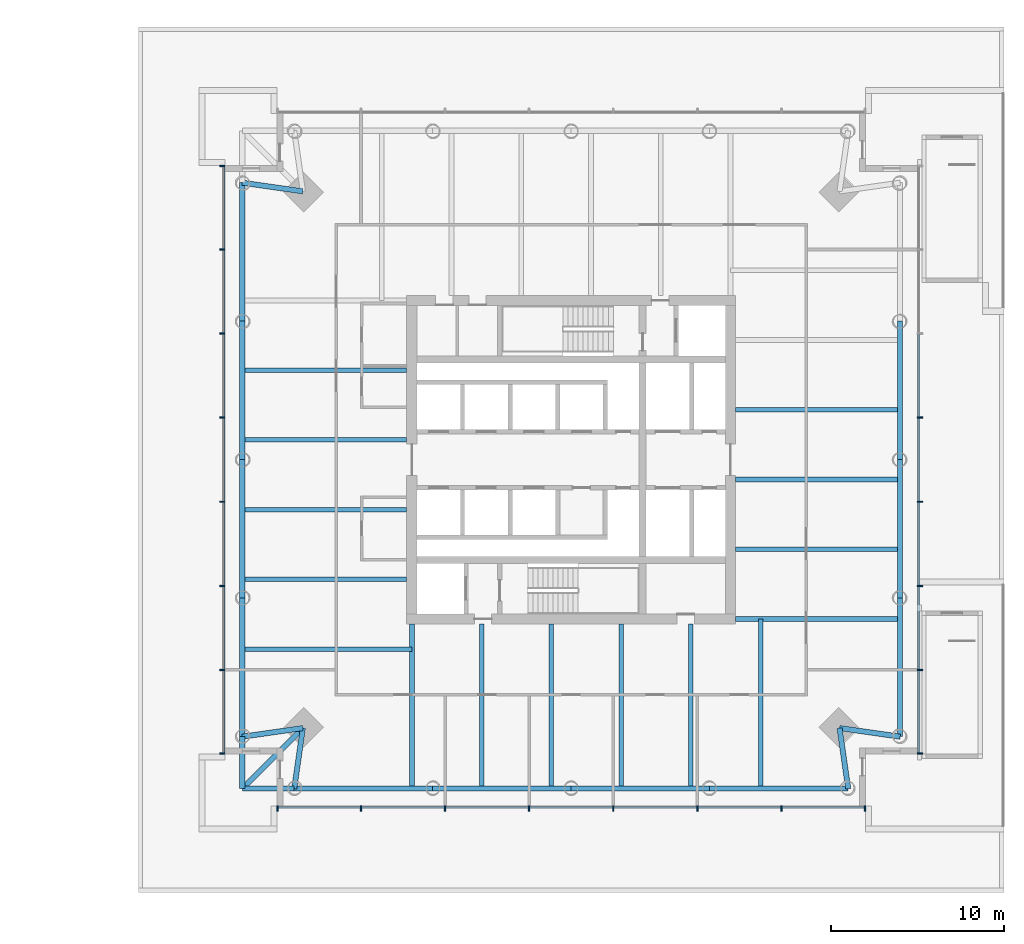
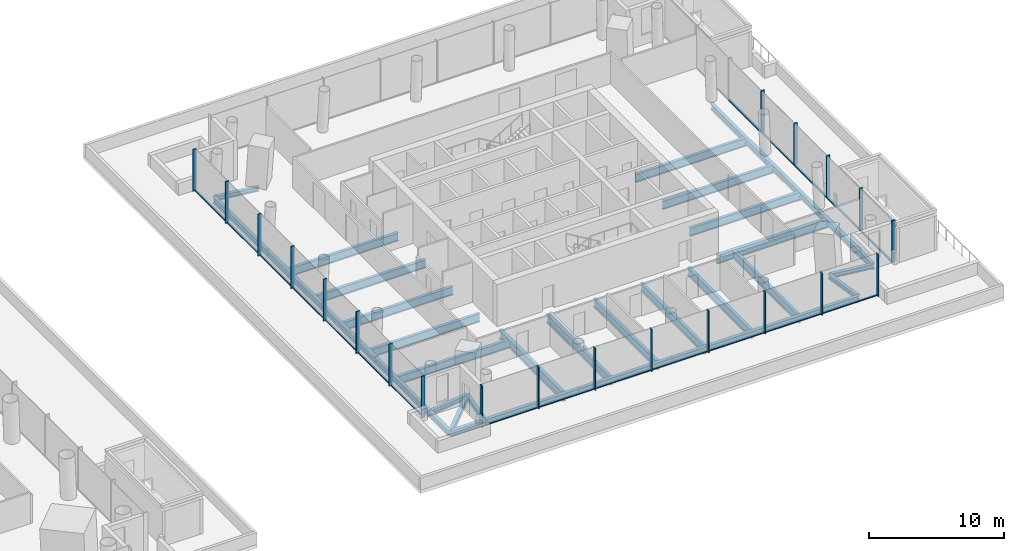
# One storey, part 5 of 19: 40 members, 34 beams, 3 elements without a shape of their own.
"""IFC4 building model written with IfcOpenShell, lengths in metres."""

from ifc_helpers import new_model, si_unit, direction, frame, origin, origin_2d, place, context, subcontext, project, spatial, rectangle, i_section, extrude, material, material_profile, profile_set, type_object, element, aggregate, save


model = new_model("IFC4")

# Units and contexts
model_context = context("Model", 3, precision=1e-05, world=origin(), true_north=direction((0.0, 1.0)))
body_context = subcontext(model_context, "Body", "Model", "MODEL_VIEW")
ifc_project = project(units=[si_unit("LENGTHUNIT", "METRE"), si_unit("AREAUNIT", "SQUARE_METRE"), si_unit("VOLUMEUNIT", "CUBIC_METRE"), si_unit("PLANEANGLEUNIT", "RADIAN"), si_unit("MASSUNIT", "GRAM", prefix="KILO")], contexts=[model_context])

# Site, building, storey
site_placement = place(None, origin())
site = spatial("IfcSite", under=ifc_project, at=site_placement, CompositionType="ELEMENT")
building_placement = place(site_placement, origin())
building = spatial("IfcBuilding", under=site, at=building_placement, Name="Ostroluk Exchange", CompositionType="ELEMENT")
storey_placement = place(building_placement, frame((0.0, 0.0, 21.0)))
storey = spatial("IfcBuildingStorey", under=building, at=storey_placement, Name="L04", CompositionType="ELEMENT", Elevation=21.0)

# Beams
ifc_material_1 = material(Name="Steel S355", Category="steel")
ifc_material_profile_1 = material_profile(ifc_material_1, i_section(OverallWidth=0.300048828125, OverallDepth=0.5, WebThickness=0.014404296875, FlangeThickness=0.028076171875, FilletRadius=0.027099609375, at=origin_2d()), Name="HEB 500")
ifc_profile_set_1 = profile_set([ifc_material_profile_1], Name="Steel S355")
beam_type_1 = type_object("IfcBeamType", Name="Balcony beam HEB 500", PredefinedType="BEAM", material=ifc_profile_set_1)
for number, where, z_axis, x_axis, name in (
    (1, (98.0, 30.0, -0.550048828125), (0.0, -1.0, 0.0), (1.0, 0.0, 0.0), "T2 west balcony beam a"),
    (2, (101.0, 27.0, -0.550048828125), (-1.0, 0.0, 0.0), (0.0, -1.0, 0.0), "T2 west balcony beam b"),
):
    element("IfcBeam", number, at=place(storey_placement, frame(where, z_axis=z_axis, x_axis=x_axis)), inside=storey, type_object=beam_type_1, Name=name, PredefinedType="BEAM", context=body_context, shape_type="SweptSolid", body=[
        extrude(i_section(OverallWidth=0.300048828125, OverallDepth=0.5, WebThickness=0.014404296875, FlangeThickness=0.028076171875, FilletRadius=0.027099609375, at=origin_2d()), origin(), (0.0, 0.0, 1.0), 3.0),
    ])
beam_1_placement = place(storey_placement, frame((101.5, 30.5, -0.550048828125), z_axis=(-0.707106781187, -0.707106781187, 0.0), x_axis=(0.707106781187, -0.707106781187, 0.0)))
element("IfcBeam", 3, at=beam_1_placement, inside=storey, type_object=beam_type_1, Name="T2 west balcony beam c", PredefinedType="BEAM", context=body_context, shape_type="SweptSolid", body=[
    extrude(i_section(OverallWidth=0.300048828125, OverallDepth=0.5, WebThickness=0.014404296875, FlangeThickness=0.028076171875, FilletRadius=0.027099609375, at=origin_2d()), origin(), (0.0, 0.0, 1.0), 4.94970703125),
])
ifc_material_2 = material(Name="Steel S355", Category="steel")
ifc_material_profile_2 = material_profile(ifc_material_2, i_section(OverallWidth=0.300048828125, OverallDepth=0.39990234375, WebThickness=0.013427734375, FlangeThickness=0.02392578125, FilletRadius=0.027099609375, at=origin_2d()), Name="HEB 400")
ifc_profile_set_2 = profile_set([ifc_material_profile_2], Name="Steel S355")
beam_type_2 = type_object("IfcBeamType", Name="Corner edge beam HEB 400", PredefinedType="SPANDREL", material=ifc_profile_set_2)
for number, where, z_axis, x_axis, name in (
    (4, (101.5, 61.5, -0.5), (-0.989949493661, 0.141421356237, 0.0), (-0.141421356237, -0.989949493661, 0.0), "T2 north corner edge beam b"),
    (5, (101.5, 30.5, -0.5), (-0.989949493661, -0.141421356237, 0.0), (0.141421356237, -0.989949493661, 0.0), "T2 west corner edge beam a"),
    (6, (101.5, 30.5, -0.5), (-0.141421356237, -0.989949493661, 0.0), (0.989949493661, -0.141421356237, 0.0), "T2 west corner edge beam b"),
    (7, (132.5, 30.5, -0.5), (0.141421356237, -0.989949493661, 0.0), (0.989949493661, 0.141421356237, 0.0), "T2 south corner edge beam a"),
    (8, (132.5, 30.5, -0.5), (0.989949493661, -0.141421356237, 0.0), (0.141421356237, 0.989949493661, 0.0), "T2 south corner edge beam b"),
):
    element("IfcBeam", number, at=place(storey_placement, frame(where, z_axis=z_axis, x_axis=x_axis)), inside=storey, type_object=beam_type_2, Name=name, PredefinedType="SPANDREL", context=body_context, shape_type="SweptSolid", body=[
        extrude(i_section(OverallWidth=0.300048828125, OverallDepth=0.39990234375, WebThickness=0.013427734375, FlangeThickness=0.02392578125, FilletRadius=0.027099609375, at=origin_2d()), origin(), (0.0, 0.0, 1.0), 3.53564453125),
    ])
ifc_material_3 = material(Name="Steel S355", Category="steel")
ifc_material_profile_3 = material_profile(ifc_material_3, i_section(OverallWidth=0.264892578125, OverallDepth=0.7529296875, WebThickness=0.01318359375, FlangeThickness=0.01708984375, FilletRadius=0.01708984375, at=origin_2d()), Name="IPE 750x147")
ifc_profile_set_3 = profile_set([ifc_material_profile_3], Name="Steel S355")
beam_type_3 = type_object("IfcBeamType", Name="Floor beam IPE 750x147", PredefinedType="BEAM", material=ifc_profile_set_3)
for number, where, z_axis, x_axis, name in (
    (9, (126.5, 40.82861328125, -0.676513671875), (1.0, 0.0, 0.0), (0.0, 1.0, 0.0), "T2 east floor beam 1"),
    (10, (126.5, 44.857177734375, -0.676513671875), (1.0, 0.0, 0.0), (0.0, 1.0, 0.0), "T2 east floor beam 2"),
    (11, (126.5, 48.8857421875, -0.676513671875), (1.0, 0.0, 0.0), (0.0, 1.0, 0.0), "T2 east floor beam 3"),
    (12, (107.5, 51.17138671875, -0.676513671875), (-1.0, 0.0, 0.0), (0.0, -1.0, 0.0), "T2 west floor beam 1"),
    (13, (107.5, 47.142822265625, -0.676513671875), (-1.0, 0.0, 0.0), (0.0, -1.0, 0.0), "T2 west floor beam 2"),
    (14, (107.5, 43.1142578125, -0.676513671875), (-1.0, 0.0, 0.0), (0.0, -1.0, 0.0), "T2 west floor beam 3"),
    (15, (107.5, 39.085693359375, -0.676513671875), (-1.0, 0.0, 0.0), (0.0, -1.0, 0.0), "T2 west floor beam 4"),
):
    element("IfcBeam", number, at=place(storey_placement, frame(where, z_axis=z_axis, x_axis=x_axis)), inside=storey, type_object=beam_type_3, Name=name, PredefinedType="BEAM", context=body_context, shape_type="SweptSolid", body=[
        extrude(i_section(OverallWidth=0.264892578125, OverallDepth=0.7529296875, WebThickness=0.01318359375, FlangeThickness=0.01708984375, FilletRadius=0.01708984375, at=origin_2d()), origin(), (0.0, 0.0, 1.0), 9.5),
    ])
beam_2_placement = place(storey_placement, frame((107.800048828125, 35.05712890625, -0.676513671875), z_axis=(-1.0, 0.0, 0.0), x_axis=(0.0, -1.0, 0.0)))
element("IfcBeam", 16, at=beam_2_placement, inside=storey, type_object=beam_type_3, Name="T2 west floor beam 5", PredefinedType="BEAM", context=body_context, shape_type="SweptSolid", body=[
    extrude(i_section(OverallWidth=0.264892578125, OverallDepth=0.7529296875, WebThickness=0.01318359375, FlangeThickness=0.01708984375, FilletRadius=0.01708984375, at=origin_2d()), origin(), (0.0, 0.0, 1.0), 9.800048828125),
])
for number, where, z_axis, x_axis, name in (
    (17, (111.82861328125, 36.5, -0.676513671875), (0.0, -1.0, 0.0), (1.0, 0.0, 0.0), "T2 south floor beam 1"),
    (18, (115.857177734375, 36.5, -0.676513671875), (0.0, -1.0, 0.0), (1.0, 0.0, 0.0), "T2 south floor beam 2"),
    (19, (119.8857421875, 36.5, -0.676513671875), (0.0, -1.0, 0.0), (1.0, 0.0, 0.0), "T2 south floor beam 3"),
    (20, (123.914306640625, 36.5, -0.676513671875), (0.0, -1.0, 0.0), (1.0, 0.0, 0.0), "T2 south floor beam 4"),
):
    element("IfcBeam", number, at=place(storey_placement, frame(where, z_axis=z_axis, x_axis=x_axis)), inside=storey, type_object=beam_type_3, Name=name, PredefinedType="BEAM", context=body_context, shape_type="SweptSolid", body=[
        extrude(i_section(OverallWidth=0.264892578125, OverallDepth=0.7529296875, WebThickness=0.01318359375, FlangeThickness=0.01708984375, FilletRadius=0.01708984375, at=origin_2d()), origin(), (0.0, 0.0, 1.0), 9.5),
    ])
beam_3_placement = place(storey_placement, frame((127.94287109375, 36.800048828125, -0.676513671875), z_axis=(0.0, -1.0, 0.0), x_axis=(1.0, 0.0, 0.0)))
element("IfcBeam", 21, at=beam_3_placement, inside=storey, type_object=beam_type_3, Name="T2 south floor beam 5", PredefinedType="BEAM", context=body_context, shape_type="SweptSolid", body=[
    extrude(i_section(OverallWidth=0.264892578125, OverallDepth=0.7529296875, WebThickness=0.01318359375, FlangeThickness=0.01708984375, FilletRadius=0.01708984375, at=origin_2d()), origin(), (0.0, 0.0, 1.0), 9.800048828125),
])
ifc_material_4 = material(Name="Steel S355", Category="steel")
ifc_material_profile_4 = material_profile(ifc_material_4, i_section(OverallWidth=0.300048828125, OverallDepth=0.800048828125, WebThickness=0.017578125, FlangeThickness=0.032958984375, FilletRadius=0.030029296875, at=origin_2d()), Name="HEB 800")
ifc_profile_set_4 = profile_set([ifc_material_profile_4], Name="Steel S355")
beam_type_4 = type_object("IfcBeamType", Name="Girder HEB 800", PredefinedType="BEAM", material=ifc_profile_set_4)
for number, where, z_axis, x_axis, name in (
    (22, (107.800048828125, 36.5, -0.699951171875), (0.0, -1.0, 0.0), (1.0, 0.0, 0.0), "T2 west girder"),
    (23, (126.5, 36.800048828125, -0.699951171875), (1.0, 0.0, 0.0), (0.0, 1.0, 0.0), "T2 south girder"),
):
    element("IfcBeam", number, at=place(storey_placement, frame(where, z_axis=z_axis, x_axis=x_axis)), inside=storey, type_object=beam_type_4, Name=name, PredefinedType="BEAM", context=body_context, shape_type="SweptSolid", body=[
        extrude(i_section(OverallWidth=0.300048828125, OverallDepth=0.800048828125, WebThickness=0.017578125, FlangeThickness=0.032958984375, FilletRadius=0.030029296875, at=origin_2d()), origin(), (0.0, 0.0, 1.0), 9.5),
    ])
ifc_material_5 = material(Name="Steel S355", Category="steel")
ifc_material_profile_5 = material_profile(ifc_material_5, i_section(OverallWidth=0.300048828125, OverallDepth=0.550048828125, WebThickness=0.014892578125, FlangeThickness=0.029052734375, FilletRadius=0.027099609375, at=origin_2d()), Name="HEB 550")
ifc_profile_set_5 = profile_set([ifc_material_profile_5], Name="Steel S355")
beam_type_5 = type_object("IfcBeamType", Name="Moment-connected edge beam HEB 550", PredefinedType="SPANDREL", material=ifc_profile_set_5)
for number, where, z_axis, x_axis, name in (
    (24, (136.0, 30.0, -0.574951171875), (0.0, 1.0, 0.0), (-1.0, 0.0, 0.0), "T2 east edge beam 1"),
    (25, (136.0, 38.0, -0.574951171875), (0.0, 1.0, 0.0), (-1.0, 0.0, 0.0), "T2 east edge beam 2"),
    (26, (136.0, 46.0, -0.574951171875), (0.0, 1.0, 0.0), (-1.0, 0.0, 0.0), "T2 east edge beam 3"),
    (27, (98.0, 62.0, -0.574951171875), (0.0, -1.0, 0.0), (1.0, 0.0, 0.0), "T2 west edge beam 1"),
    (28, (98.0, 54.0, -0.574951171875), (0.0, -1.0, 0.0), (1.0, 0.0, 0.0), "T2 west edge beam 2"),
    (29, (98.0, 46.0, -0.574951171875), (0.0, -1.0, 0.0), (1.0, 0.0, 0.0), "T2 west edge beam 3"),
    (30, (98.0, 38.0, -0.574951171875), (0.0, -1.0, 0.0), (1.0, 0.0, 0.0), "T2 west edge beam 4"),
    (31, (101.0, 27.0, -0.574951171875), (1.0, 0.0, 0.0), (0.0, 1.0, 0.0), "T2 south edge beam 1"),
    (32, (109.0, 27.0, -0.574951171875), (1.0, 0.0, 0.0), (0.0, 1.0, 0.0), "T2 south edge beam 2"),
    (33, (117.0, 27.0, -0.574951171875), (1.0, 0.0, 0.0), (0.0, 1.0, 0.0), "T2 south edge beam 3"),
    (34, (125.0, 27.0, -0.574951171875), (1.0, 0.0, 0.0), (0.0, 1.0, 0.0), "T2 south edge beam 4"),
):
    element("IfcBeam", number, at=place(storey_placement, frame(where, z_axis=z_axis, x_axis=x_axis)), inside=storey, type_object=beam_type_5, Name=name, PredefinedType="SPANDREL", context=body_context, shape_type="SweptSolid", body=[
        extrude(i_section(OverallWidth=0.300048828125, OverallDepth=0.550048828125, WebThickness=0.014892578125, FlangeThickness=0.029052734375, FilletRadius=0.027099609375, at=origin_2d()), origin(), (0.0, 0.0, 1.0), 8.0),
    ])

# Curtain wall, members
ifc_material_6 = material(Name="Laminated clear glass", Category="glass")
curtain_wall_type = type_object("IfcCurtainWallType", Name="Hotel amenity and plant facade", PredefinedType="USERDEFINED", material=ifc_material_6)
curtain_wall_1_placement = place(storey_placement, origin())
curtain_wall_1 = element("IfcCurtainWall", 35, at=curtain_wall_1_placement, inside=storey, type_object=curtain_wall_type, Name="Hotel tower south facade L04", ObjectType="LOUVRED CURTAIN WALL", PredefinedType="USERDEFINED")
ifc_material_7 = material(Name="Aluminium mullion", Category="aluminium")
ifc_material_profile_6 = material_profile(ifc_material_7, rectangle(XDim=0.14990234375, YDim=0.080078125, at=origin_2d()), Name="Sill transom 80 x 150")
ifc_profile_set_6 = profile_set([ifc_material_profile_6], Name="Aluminium mullion")
member_type_1 = type_object("IfcMemberType", Name="Sill transom 80 x 150", PredefinedType="USERDEFINED", material=ifc_profile_set_6)
member_1_placement = place(storey_placement, frame((100.080078125, 25.925048828125, 0.0400390625), z_axis=(1.0, 0.0, 0.0), x_axis=(0.0, 1.0, 0.0)))
member_1 = element("IfcMember", 36, at=member_1_placement, type_object=member_type_1, Name="CW-H2 transom 1.1", ObjectType="TRANSOM", PredefinedType="USERDEFINED", context=body_context, shape_type="SweptSolid", body=[
    extrude(rectangle(XDim=0.14990234375, YDim=0.080078125, at=origin_2d()), origin(), (0.0, 0.0, 1.0), 4.737060546875),
])
member_2_placement = place(storey_placement, frame((104.897216796875, 25.925048828125, 0.0400390625), z_axis=(1.0, 0.0, 0.0), x_axis=(0.0, 1.0, 0.0)))
member_2 = element("IfcMember", 37, at=member_2_placement, type_object=member_type_1, Name="CW-H2 transom 2.1", ObjectType="TRANSOM", PredefinedType="USERDEFINED", context=body_context, shape_type="SweptSolid", body=[
    extrude(rectangle(XDim=0.14990234375, YDim=0.080078125, at=origin_2d()), origin(), (0.0, 0.0, 1.0), 4.777099609375),
])
member_3_placement = place(storey_placement, frame((109.75439453125, 25.925048828125, 0.0400390625), z_axis=(1.0, 0.0, 0.0), x_axis=(0.0, 1.0, 0.0)))
member_3 = element("IfcMember", 38, at=member_3_placement, type_object=member_type_1, Name="CW-H2 transom 3.1", ObjectType="TRANSOM", PredefinedType="USERDEFINED", context=body_context, shape_type="SweptSolid", body=[
    extrude(rectangle(XDim=0.14990234375, YDim=0.080078125, at=origin_2d()), origin(), (0.0, 0.0, 1.0), 4.777099609375),
])
member_4_placement = place(storey_placement, frame((114.611328125, 25.925048828125, 0.0400390625), z_axis=(1.0, 0.0, 0.0), x_axis=(0.0, 1.0, 0.0)))
member_4 = element("IfcMember", 39, at=member_4_placement, type_object=member_type_1, Name="CW-H2 transom 4.1", ObjectType="TRANSOM", PredefinedType="USERDEFINED", context=body_context, shape_type="SweptSolid", body=[
    extrude(rectangle(XDim=0.14990234375, YDim=0.080078125, at=origin_2d()), origin(), (0.0, 0.0, 1.0), 4.77734375),
])
member_5_placement = place(storey_placement, frame((119.468505859375, 25.925048828125, 0.0400390625), z_axis=(1.0, 0.0, 0.0), x_axis=(0.0, 1.0, 0.0)))
member_5 = element("IfcMember", 40, at=member_5_placement, type_object=member_type_1, Name="CW-H2 transom 5.1", ObjectType="TRANSOM", PredefinedType="USERDEFINED", context=body_context, shape_type="SweptSolid", body=[
    extrude(rectangle(XDim=0.14990234375, YDim=0.080078125, at=origin_2d()), origin(), (0.0, 0.0, 1.0), 4.777099609375),
])
member_6_placement = place(storey_placement, frame((124.32568359375, 25.925048828125, 0.0400390625), z_axis=(1.0, 0.0, 0.0), x_axis=(0.0, 1.0, 0.0)))
member_6 = element("IfcMember", 41, at=member_6_placement, type_object=member_type_1, Name="CW-H2 transom 6.1", ObjectType="TRANSOM", PredefinedType="USERDEFINED", context=body_context, shape_type="SweptSolid", body=[
    extrude(rectangle(XDim=0.14990234375, YDim=0.080078125, at=origin_2d()), origin(), (0.0, 0.0, 1.0), 4.777099609375),
])
member_7_placement = place(storey_placement, frame((129.182861328125, 25.925048828125, 0.0400390625), z_axis=(1.0, 0.0, 0.0), x_axis=(0.0, 1.0, 0.0)))
member_7 = element("IfcMember", 42, at=member_7_placement, type_object=member_type_1, Name="CW-H2 transom 7.1", ObjectType="TRANSOM", PredefinedType="USERDEFINED", context=body_context, shape_type="SweptSolid", body=[
    extrude(rectangle(XDim=0.14990234375, YDim=0.080078125, at=origin_2d()), origin(), (0.0, 0.0, 1.0), 4.737060546875),
])

curtain_wall_2_placement = place(storey_placement, origin())
curtain_wall_2 = element("IfcCurtainWall", 43, at=curtain_wall_2_placement, inside=storey, type_object=curtain_wall_type, Name="Hotel tower east facade L04", ObjectType="LOUVRED CURTAIN WALL", PredefinedType="USERDEFINED")
member_8_placement = place(storey_placement, frame((137.074951171875, 29.080078125, 0.0400390625), z_axis=(0.0, 1.0, 0.0), x_axis=(-1.0, 0.0, 0.0)))
member_8 = element("IfcMember", 44, at=member_8_placement, type_object=member_type_1, Name="CW-H2 transom 1.1", ObjectType="TRANSOM", PredefinedType="USERDEFINED", context=body_context, shape_type="SweptSolid", body=[
    extrude(rectangle(XDim=0.14990234375, YDim=0.080078125, at=origin_2d()), origin(), (0.0, 0.0, 1.0), 4.737060546875),
])
member_9_placement = place(storey_placement, frame((137.074951171875, 33.897216796875, 0.0400390625), z_axis=(0.0, 1.0, 0.0), x_axis=(-1.0, 0.0, 0.0)))
member_9 = element("IfcMember", 45, at=member_9_placement, type_object=member_type_1, Name="CW-H2 transom 2.1", ObjectType="TRANSOM", PredefinedType="USERDEFINED", context=body_context, shape_type="SweptSolid", body=[
    extrude(rectangle(XDim=0.14990234375, YDim=0.080078125, at=origin_2d()), origin(), (0.0, 0.0, 1.0), 4.777099609375),
])
member_10_placement = place(storey_placement, frame((137.074951171875, 38.75439453125, 0.0400390625), z_axis=(0.0, 1.0, 0.0), x_axis=(-1.0, 0.0, 0.0)))
member_10 = element("IfcMember", 46, at=member_10_placement, type_object=member_type_1, Name="CW-H2 transom 3.1", ObjectType="TRANSOM", PredefinedType="USERDEFINED", context=body_context, shape_type="SweptSolid", body=[
    extrude(rectangle(XDim=0.14990234375, YDim=0.080078125, at=origin_2d()), origin(), (0.0, 0.0, 1.0), 4.777099609375),
])
member_11_placement = place(storey_placement, frame((137.074951171875, 43.611328125, 0.0400390625), z_axis=(0.0, 1.0, 0.0), x_axis=(-1.0, 0.0, 0.0)))
member_11 = element("IfcMember", 47, at=member_11_placement, type_object=member_type_1, Name="CW-H2 transom 4.1", ObjectType="TRANSOM", PredefinedType="USERDEFINED", context=body_context, shape_type="SweptSolid", body=[
    extrude(rectangle(XDim=0.14990234375, YDim=0.080078125, at=origin_2d()), origin(), (0.0, 0.0, 1.0), 4.77734375),
])
member_12_placement = place(storey_placement, frame((137.074951171875, 48.468505859375, 0.0400390625), z_axis=(0.0, 1.0, 0.0), x_axis=(-1.0, 0.0, 0.0)))
member_12 = element("IfcMember", 48, at=member_12_placement, type_object=member_type_1, Name="CW-H2 transom 5.1", ObjectType="TRANSOM", PredefinedType="USERDEFINED", context=body_context, shape_type="SweptSolid", body=[
    extrude(rectangle(XDim=0.14990234375, YDim=0.080078125, at=origin_2d()), origin(), (0.0, 0.0, 1.0), 4.777099609375),
])

curtain_wall_3_placement = place(storey_placement, origin())
curtain_wall_3 = element("IfcCurtainWall", 49, at=curtain_wall_3_placement, inside=storey, type_object=curtain_wall_type, Name="Hotel tower west facade L04", ObjectType="LOUVRED CURTAIN WALL", PredefinedType="USERDEFINED")
member_13_placement = place(storey_placement, frame((96.925048828125, 62.919921875, 0.0400390625), z_axis=(0.0, -1.0, 0.0), x_axis=(1.0, 0.0, 0.0)))
member_13 = element("IfcMember", 50, at=member_13_placement, type_object=member_type_1, Name="CW-H2 transom 1.1", ObjectType="TRANSOM", PredefinedType="USERDEFINED", context=body_context, shape_type="SweptSolid", body=[
    extrude(rectangle(XDim=0.14990234375, YDim=0.080078125, at=origin_2d()), origin(), (0.0, 0.0, 1.0), 4.737060546875),
])
member_14_placement = place(storey_placement, frame((96.925048828125, 58.102783203125, 0.0400390625), z_axis=(0.0, -1.0, 0.0), x_axis=(1.0, 0.0, 0.0)))
member_14 = element("IfcMember", 51, at=member_14_placement, type_object=member_type_1, Name="CW-H2 transom 2.1", ObjectType="TRANSOM", PredefinedType="USERDEFINED", context=body_context, shape_type="SweptSolid", body=[
    extrude(rectangle(XDim=0.14990234375, YDim=0.080078125, at=origin_2d()), origin(), (0.0, 0.0, 1.0), 4.777099609375),
])
member_15_placement = place(storey_placement, frame((96.925048828125, 53.24560546875, 0.0400390625), z_axis=(0.0, -1.0, 0.0), x_axis=(1.0, 0.0, 0.0)))
member_15 = element("IfcMember", 52, at=member_15_placement, type_object=member_type_1, Name="CW-H2 transom 3.1", ObjectType="TRANSOM", PredefinedType="USERDEFINED", context=body_context, shape_type="SweptSolid", body=[
    extrude(rectangle(XDim=0.14990234375, YDim=0.080078125, at=origin_2d()), origin(), (0.0, 0.0, 1.0), 4.777099609375),
])
member_16_placement = place(storey_placement, frame((96.925048828125, 48.388671875, 0.0400390625), z_axis=(0.0, -1.0, 0.0), x_axis=(1.0, 0.0, 0.0)))
member_16 = element("IfcMember", 53, at=member_16_placement, type_object=member_type_1, Name="CW-H2 transom 4.1", ObjectType="TRANSOM", PredefinedType="USERDEFINED", context=body_context, shape_type="SweptSolid", body=[
    extrude(rectangle(XDim=0.14990234375, YDim=0.080078125, at=origin_2d()), origin(), (0.0, 0.0, 1.0), 4.77734375),
])
member_17_placement = place(storey_placement, frame((96.925048828125, 43.531494140625, 0.0400390625), z_axis=(0.0, -1.0, 0.0), x_axis=(1.0, 0.0, 0.0)))
member_17 = element("IfcMember", 54, at=member_17_placement, type_object=member_type_1, Name="CW-H2 transom 5.1", ObjectType="TRANSOM", PredefinedType="USERDEFINED", context=body_context, shape_type="SweptSolid", body=[
    extrude(rectangle(XDim=0.14990234375, YDim=0.080078125, at=origin_2d()), origin(), (0.0, 0.0, 1.0), 4.777099609375),
])
member_18_placement = place(storey_placement, frame((96.925048828125, 38.67431640625, 0.0400390625), z_axis=(0.0, -1.0, 0.0), x_axis=(1.0, 0.0, 0.0)))
member_18 = element("IfcMember", 55, at=member_18_placement, type_object=member_type_1, Name="CW-H2 transom 6.1", ObjectType="TRANSOM", PredefinedType="USERDEFINED", context=body_context, shape_type="SweptSolid", body=[
    extrude(rectangle(XDim=0.14990234375, YDim=0.080078125, at=origin_2d()), origin(), (0.0, 0.0, 1.0), 4.777099609375),
])
member_19_placement = place(storey_placement, frame((96.925048828125, 33.817138671875, 0.0400390625), z_axis=(0.0, -1.0, 0.0), x_axis=(1.0, 0.0, 0.0)))
member_19 = element("IfcMember", 56, at=member_19_placement, type_object=member_type_1, Name="CW-H2 transom 7.1", ObjectType="TRANSOM", PredefinedType="USERDEFINED", context=body_context, shape_type="SweptSolid", body=[
    extrude(rectangle(XDim=0.14990234375, YDim=0.080078125, at=origin_2d()), origin(), (0.0, 0.0, 1.0), 4.737060546875),
])

# Member
ifc_material_8 = material(Name="Aluminium mullion with limestone facing", Category="masonry")
ifc_material_profile_7 = material_profile(ifc_material_8, rectangle(XDim=0.300048828125, YDim=0.080078125, at=origin_2d()), Name="Tracery mullion 80 x 300")
ifc_profile_set_7 = profile_set([ifc_material_profile_7], Name="Aluminium mullion with limestone facing")
member_type_2 = type_object("IfcMemberType", Name="Tracery mullion 80 x 300", PredefinedType="MULLION", material=ifc_profile_set_7)
member_20_placement = place(storey_placement, frame((100.0400390625, 25.85009765625, 0.0), z_axis=(0.0, 0.0, 1.0), x_axis=(0.0, 1.0, 0.0)))
member_20 = element("IfcMember", 57, at=member_20_placement, type_object=member_type_2, Name="CW-H2 mullion 1", PredefinedType="MULLION", context=body_context, shape_type="SweptSolid", body=[
    extrude(rectangle(XDim=0.300048828125, YDim=0.080078125, at=origin_2d()), origin(), (0.0, 0.0, 1.0), 3.800048828125),
])

member_21_placement = place(storey_placement, frame((104.857177734375, 25.85009765625, 0.0), z_axis=(0.0, 0.0, 1.0), x_axis=(0.0, 1.0, 0.0)))
member_21 = element("IfcMember", 58, at=member_21_placement, type_object=member_type_2, Name="CW-H2 mullion 2", PredefinedType="MULLION", context=body_context, shape_type="SweptSolid", body=[
    extrude(rectangle(XDim=0.300048828125, YDim=0.080078125, at=origin_2d()), origin(), (0.0, 0.0, 1.0), 3.800048828125),
])

member_22_placement = place(storey_placement, frame((109.71435546875, 25.85009765625, 0.0), z_axis=(0.0, 0.0, 1.0), x_axis=(0.0, 1.0, 0.0)))
member_22 = element("IfcMember", 59, at=member_22_placement, type_object=member_type_2, Name="CW-H2 mullion 3", PredefinedType="MULLION", context=body_context, shape_type="SweptSolid", body=[
    extrude(rectangle(XDim=0.300048828125, YDim=0.080078125, at=origin_2d()), origin(), (0.0, 0.0, 1.0), 3.800048828125),
])

member_23_placement = place(storey_placement, frame((114.571533203125, 25.85009765625, 0.0), z_axis=(0.0, 0.0, 1.0), x_axis=(0.0, 1.0, 0.0)))
member_23 = element("IfcMember", 60, at=member_23_placement, type_object=member_type_2, Name="CW-H2 mullion 4", PredefinedType="MULLION", context=body_context, shape_type="SweptSolid", body=[
    extrude(rectangle(XDim=0.300048828125, YDim=0.080078125, at=origin_2d()), origin(), (0.0, 0.0, 1.0), 3.800048828125),
])

member_24_placement = place(storey_placement, frame((119.428466796875, 25.85009765625, 0.0), z_axis=(0.0, 0.0, 1.0), x_axis=(0.0, 1.0, 0.0)))
member_24 = element("IfcMember", 61, at=member_24_placement, type_object=member_type_2, Name="CW-H2 mullion 5", PredefinedType="MULLION", context=body_context, shape_type="SweptSolid", body=[
    extrude(rectangle(XDim=0.300048828125, YDim=0.080078125, at=origin_2d()), origin(), (0.0, 0.0, 1.0), 3.800048828125),
])

member_25_placement = place(storey_placement, frame((124.28564453125, 25.85009765625, 0.0), z_axis=(0.0, 0.0, 1.0), x_axis=(0.0, 1.0, 0.0)))
member_25 = element("IfcMember", 62, at=member_25_placement, type_object=member_type_2, Name="CW-H2 mullion 6", PredefinedType="MULLION", context=body_context, shape_type="SweptSolid", body=[
    extrude(rectangle(XDim=0.300048828125, YDim=0.080078125, at=origin_2d()), origin(), (0.0, 0.0, 1.0), 3.800048828125),
])

member_26_placement = place(storey_placement, frame((129.142822265625, 25.85009765625, 0.0), z_axis=(0.0, 0.0, 1.0), x_axis=(0.0, 1.0, 0.0)))
member_26 = element("IfcMember", 63, at=member_26_placement, type_object=member_type_2, Name="CW-H2 mullion 7", PredefinedType="MULLION", context=body_context, shape_type="SweptSolid", body=[
    extrude(rectangle(XDim=0.300048828125, YDim=0.080078125, at=origin_2d()), origin(), (0.0, 0.0, 1.0), 3.800048828125),
])

member_27_placement = place(storey_placement, frame((133.9599609375, 25.85009765625, 0.0), z_axis=(0.0, 0.0, 1.0), x_axis=(0.0, 1.0, 0.0)))
member_27 = element("IfcMember", 64, at=member_27_placement, type_object=member_type_2, Name="CW-H2 mullion 8", PredefinedType="MULLION", context=body_context, shape_type="SweptSolid", body=[
    extrude(rectangle(XDim=0.300048828125, YDim=0.080078125, at=origin_2d()), origin(), (0.0, 0.0, 1.0), 3.800048828125),
])

aggregate(curtain_wall_1, [member_20, member_21, member_22, member_23, member_24, member_25, member_26, member_27, member_1, member_2, member_3, member_4, member_5, member_6, member_7])

member_28_placement = place(storey_placement, frame((137.14990234375, 29.0400390625, 0.0), z_axis=(0.0, 0.0, 1.0), x_axis=(-1.0, 0.0, 0.0)))
member_28 = element("IfcMember", 65, at=member_28_placement, type_object=member_type_2, Name="CW-H2 mullion 1", PredefinedType="MULLION", context=body_context, shape_type="SweptSolid", body=[
    extrude(rectangle(XDim=0.300048828125, YDim=0.080078125, at=origin_2d()), origin(), (0.0, 0.0, 1.0), 3.800048828125),
])

member_29_placement = place(storey_placement, frame((137.14990234375, 33.857177734375, 0.0), z_axis=(0.0, 0.0, 1.0), x_axis=(-1.0, 0.0, 0.0)))
member_29 = element("IfcMember", 66, at=member_29_placement, type_object=member_type_2, Name="CW-H2 mullion 2", PredefinedType="MULLION", context=body_context, shape_type="SweptSolid", body=[
    extrude(rectangle(XDim=0.300048828125, YDim=0.080078125, at=origin_2d()), origin(), (0.0, 0.0, 1.0), 3.800048828125),
])

member_30_placement = place(storey_placement, frame((137.14990234375, 38.71435546875, 0.0), z_axis=(0.0, 0.0, 1.0), x_axis=(-1.0, 0.0, 0.0)))
member_30 = element("IfcMember", 67, at=member_30_placement, type_object=member_type_2, Name="CW-H2 mullion 3", PredefinedType="MULLION", context=body_context, shape_type="SweptSolid", body=[
    extrude(rectangle(XDim=0.300048828125, YDim=0.080078125, at=origin_2d()), origin(), (0.0, 0.0, 1.0), 3.800048828125),
])

member_31_placement = place(storey_placement, frame((137.14990234375, 43.571533203125, 0.0), z_axis=(0.0, 0.0, 1.0), x_axis=(-1.0, 0.0, 0.0)))
member_31 = element("IfcMember", 68, at=member_31_placement, type_object=member_type_2, Name="CW-H2 mullion 4", PredefinedType="MULLION", context=body_context, shape_type="SweptSolid", body=[
    extrude(rectangle(XDim=0.300048828125, YDim=0.080078125, at=origin_2d()), origin(), (0.0, 0.0, 1.0), 3.800048828125),
])

member_32_placement = place(storey_placement, frame((137.14990234375, 48.428466796875, 0.0), z_axis=(0.0, 0.0, 1.0), x_axis=(-1.0, 0.0, 0.0)))
member_32 = element("IfcMember", 69, at=member_32_placement, type_object=member_type_2, Name="CW-H2 mullion 5", PredefinedType="MULLION", context=body_context, shape_type="SweptSolid", body=[
    extrude(rectangle(XDim=0.300048828125, YDim=0.080078125, at=origin_2d()), origin(), (0.0, 0.0, 1.0), 3.800048828125),
])

aggregate(curtain_wall_2, [member_28, member_29, member_30, member_31, member_32, member_8, member_9, member_10, member_11, member_12])

member_33_placement = place(storey_placement, frame((96.85009765625, 62.9599609375, 0.0), z_axis=(0.0, 0.0, 1.0), x_axis=(1.0, 0.0, 0.0)))
member_33 = element("IfcMember", 70, at=member_33_placement, type_object=member_type_2, Name="CW-H2 mullion 1", PredefinedType="MULLION", context=body_context, shape_type="SweptSolid", body=[
    extrude(rectangle(XDim=0.300048828125, YDim=0.080078125, at=origin_2d()), origin(), (0.0, 0.0, 1.0), 3.800048828125),
])

member_34_placement = place(storey_placement, frame((96.85009765625, 58.142822265625, 0.0), z_axis=(0.0, 0.0, 1.0), x_axis=(1.0, 0.0, 0.0)))
member_34 = element("IfcMember", 71, at=member_34_placement, type_object=member_type_2, Name="CW-H2 mullion 2", PredefinedType="MULLION", context=body_context, shape_type="SweptSolid", body=[
    extrude(rectangle(XDim=0.300048828125, YDim=0.080078125, at=origin_2d()), origin(), (0.0, 0.0, 1.0), 3.800048828125),
])

member_35_placement = place(storey_placement, frame((96.85009765625, 53.28564453125, 0.0), z_axis=(0.0, 0.0, 1.0), x_axis=(1.0, 0.0, 0.0)))
member_35 = element("IfcMember", 72, at=member_35_placement, type_object=member_type_2, Name="CW-H2 mullion 3", PredefinedType="MULLION", context=body_context, shape_type="SweptSolid", body=[
    extrude(rectangle(XDim=0.300048828125, YDim=0.080078125, at=origin_2d()), origin(), (0.0, 0.0, 1.0), 3.800048828125),
])

member_36_placement = place(storey_placement, frame((96.85009765625, 48.428466796875, 0.0), z_axis=(0.0, 0.0, 1.0), x_axis=(1.0, 0.0, 0.0)))
member_36 = element("IfcMember", 73, at=member_36_placement, type_object=member_type_2, Name="CW-H2 mullion 4", PredefinedType="MULLION", context=body_context, shape_type="SweptSolid", body=[
    extrude(rectangle(XDim=0.300048828125, YDim=0.080078125, at=origin_2d()), origin(), (0.0, 0.0, 1.0), 3.800048828125),
])

member_37_placement = place(storey_placement, frame((96.85009765625, 43.571533203125, 0.0), z_axis=(0.0, 0.0, 1.0), x_axis=(1.0, 0.0, 0.0)))
member_37 = element("IfcMember", 74, at=member_37_placement, type_object=member_type_2, Name="CW-H2 mullion 5", PredefinedType="MULLION", context=body_context, shape_type="SweptSolid", body=[
    extrude(rectangle(XDim=0.300048828125, YDim=0.080078125, at=origin_2d()), origin(), (0.0, 0.0, 1.0), 3.800048828125),
])

member_38_placement = place(storey_placement, frame((96.85009765625, 38.71435546875, 0.0), z_axis=(0.0, 0.0, 1.0), x_axis=(1.0, 0.0, 0.0)))
member_38 = element("IfcMember", 75, at=member_38_placement, type_object=member_type_2, Name="CW-H2 mullion 6", PredefinedType="MULLION", context=body_context, shape_type="SweptSolid", body=[
    extrude(rectangle(XDim=0.300048828125, YDim=0.080078125, at=origin_2d()), origin(), (0.0, 0.0, 1.0), 3.800048828125),
])

member_39_placement = place(storey_placement, frame((96.85009765625, 33.857177734375, 0.0), z_axis=(0.0, 0.0, 1.0), x_axis=(1.0, 0.0, 0.0)))
member_39 = element("IfcMember", 76, at=member_39_placement, type_object=member_type_2, Name="CW-H2 mullion 7", PredefinedType="MULLION", context=body_context, shape_type="SweptSolid", body=[
    extrude(rectangle(XDim=0.300048828125, YDim=0.080078125, at=origin_2d()), origin(), (0.0, 0.0, 1.0), 3.800048828125),
])

member_40_placement = place(storey_placement, frame((96.85009765625, 29.0400390625, 0.0), z_axis=(0.0, 0.0, 1.0), x_axis=(1.0, 0.0, 0.0)))
member_40 = element("IfcMember", 77, at=member_40_placement, type_object=member_type_2, Name="CW-H2 mullion 8", PredefinedType="MULLION", context=body_context, shape_type="SweptSolid", body=[
    extrude(rectangle(XDim=0.300048828125, YDim=0.080078125, at=origin_2d()), origin(), (0.0, 0.0, 1.0), 3.800048828125),
])

aggregate(curtain_wall_3, [member_33, member_34, member_35, member_36, member_37, member_38, member_39, member_40, member_13, member_14, member_15, member_16, member_17, member_18, member_19])

save(model, "model.ifc")
